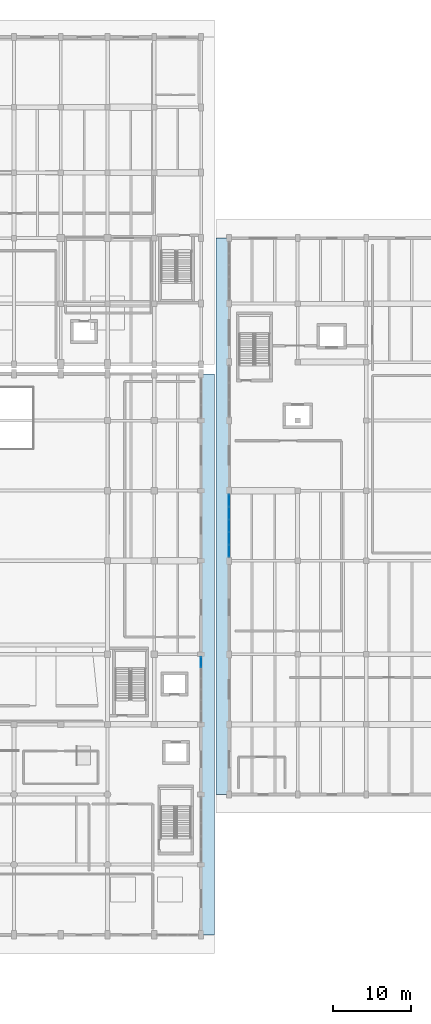
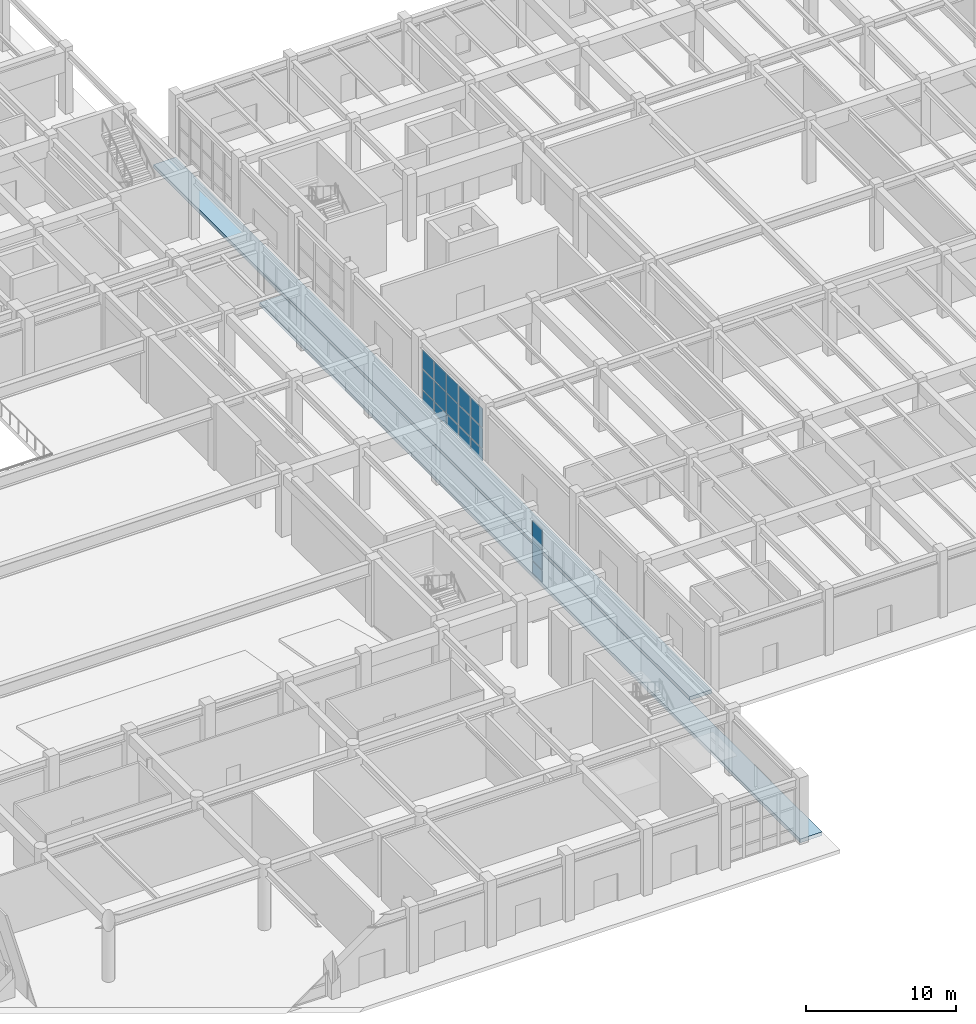
# One storey, part 63 of 91: 18 plates, 2 slabs, 2 elements without a shape of their own.
"""IFC4 building model written with IfcOpenShell, lengths in metres."""

import ifcopenshell
import ifcopenshell.guid

model = None  # the IFC model being written
_history = None  # IfcOwnerHistory: only IFC2X3 demands one
_inside = {}  # id of a spatial element -> (the spatial element, [elements in it])
_under = {}  # id of a project, library or spatial element -> (it, [spatial elements below it])
_declared = {}  # id of a project -> (the project, [libraries it declares])
_typed = {}  # id of a type object -> (the type object, [elements of that type])
_made_of = {}  # id of a material, layer set ... -> (it, [elements and type objects made of it])


def new_model(schema):
    """Start an empty IFC model of exactly this schema.

    Asked for "IFC4X3", IfcOpenShell would pick the latest addendum, in which some entities
    have other attributes; the version numbers below select the first issue.
    IFC2X3 requires an IfcOwnerHistory on every rooted entity: one is made here for all.
    """
    global model, _history
    if schema == "IFC4X3":
        model = ifcopenshell.file(schema_version=(4, 3, 0, 0))
    else:
        model = ifcopenshell.file(schema=schema)
    _inside.clear()
    _under.clear()
    _declared.clear()
    _typed.clear()
    _made_of.clear()
    _history = None
    if model.schema == "IFC2X3":
        org = make("IfcOrganization", Name="unknown")
        user = make(
            "IfcPersonAndOrganization",
            ThePerson=make("IfcPerson", FamilyName="unknown"),
            TheOrganization=org,
        )
        app = make(
            "IfcApplication",
            ApplicationDeveloper=org,
            Version="unknown",
            ApplicationFullName="unknown",
            ApplicationIdentifier="unknown",
        )
        _history = make(
            "IfcOwnerHistory",
            OwningUser=user,
            OwningApplication=app,
            ChangeAction="ADDED",
            CreationDate=0,
        )
    return model


def make(cls, **values):
    """One entity of the class cls with the attributes given. An attribute that is None is left unset."""
    return model.create_entity(
        cls, **{name: value for name, value in values.items() if value is not None}
    )


def rooted(cls, **values):
    """An entity with a GlobalId (a new one), such as an element, a storey or a relation."""
    return make(cls, GlobalId=ifcopenshell.guid.new(), OwnerHistory=_history, **values)


def si_unit(unit_type, name, prefix=None):
    """IfcSIUnit, for example si_unit("LENGTHUNIT", "METRE", prefix="MILLI")."""
    return make("IfcSIUnit", UnitType=unit_type, Prefix=prefix, Name=name)


def assignment(units):
    """IfcUnitAssignment: the units of a project."""
    return None if units is None else make("IfcUnitAssignment", Units=units)


def point(xyz):
    """IfcCartesianPoint."""
    return None if xyz is None else make("IfcCartesianPoint", Coordinates=xyz)


def direction(xyz):
    """IfcDirection."""
    return None if xyz is None else make("IfcDirection", DirectionRatios=xyz)


def frame(location, z_axis=None, x_axis=None):
    """IfcAxis2Placement3D, a coordinate frame: its origin and axes. An axis left out is left unset."""
    return make(
        "IfcAxis2Placement3D",
        Location=point(location),
        Axis=direction(z_axis),
        RefDirection=direction(x_axis),
    )


def frame_2d(location, x_axis=None):
    """IfcAxis2Placement2D, a coordinate frame in the plane: its origin and x axis."""
    return make(
        "IfcAxis2Placement2D", Location=point(location), RefDirection=direction(x_axis)
    )


def origin():
    """The frame at (0, 0, 0) with its axes left unset."""
    return frame((0.0, 0.0, 0.0))


def origin_2d():
    """The frame at (0, 0) in the plane with its x axis left unset."""
    return frame_2d((0.0, 0.0))


def place(relative_to, where):
    """IfcLocalPlacement: puts the frame where relative to a parent placement (None: the world)."""
    return make(
        "IfcLocalPlacement", PlacementRelTo=relative_to, RelativePlacement=where
    )


def context(
    kind, dimensions, precision=None, world=None, true_north=None, identifier=None
):
    """IfcGeometricRepresentationContext, for example the 3D "Model" context."""
    return make(
        "IfcGeometricRepresentationContext",
        ContextIdentifier=identifier,
        ContextType=kind,
        CoordinateSpaceDimension=dimensions,
        Precision=precision,
        WorldCoordinateSystem=world,
        TrueNorth=true_north,
    )


def subcontext(parent, identifier, kind, view, scale=None):
    """IfcGeometricRepresentationSubContext, for example "Body" below "Model"."""
    return make(
        "IfcGeometricRepresentationSubContext",
        ContextIdentifier=identifier,
        ContextType=kind,
        ParentContext=parent,
        TargetScale=scale,
        TargetView=view,
    )


def project(units=None, contexts=None):
    """IfcProject with its units and contexts."""
    return rooted(
        "IfcProject",
        Name="project",
        RepresentationContexts=contexts,
        UnitsInContext=assignment(units),
    )


def spatial(cls, under=None, at=None, **own):
    """A site, building, storey or space (cls), placed at a placement, below another one or the project."""
    s = rooted(cls, ObjectPlacement=at, **own)
    if under is not None:
        _under.setdefault(under.id(), (under, []))[1].append(s)
    return s


def polyline(points):
    """IfcPolyline through the points."""
    return make("IfcPolyline", Points=[point(p) for p in points])


def profile(cls, at=None, kind="AREA", **sizes):
    """A parametric profile (cls). Its sizes go by their IFC names, for example OverallWidth=200.0."""
    return make(cls, ProfileType=kind, Position=at, **sizes)


def rectangle(**sizes):
    """IfcRectangleProfileDef."""
    return profile("IfcRectangleProfileDef", **sizes)


def outline(outer, holes=None, kind="AREA"):
    """IfcArbitraryClosedProfileDef: a profile drawn as a closed curve; with holes, ...WithVoids."""
    if holes is None:
        return make("IfcArbitraryClosedProfileDef", ProfileType=kind, OuterCurve=outer)
    return make(
        "IfcArbitraryProfileDefWithVoids",
        ProfileType=kind,
        OuterCurve=outer,
        InnerCurves=holes,
    )


def extrude(swept, where, along, depth):
    """IfcExtrudedAreaSolid: the profile swept, set in the frame where, extruded along a direction by depth."""
    return make(
        "IfcExtrudedAreaSolid",
        SweptArea=swept,
        Position=where,
        ExtrudedDirection=direction(along),
        Depth=depth,
    )


def shape(context_of_items, identifier, shape_type, items):
    """IfcShapeRepresentation: the items that make up one representation, for example the "Body"."""
    return make(
        "IfcShapeRepresentation",
        ContextOfItems=context_of_items,
        RepresentationIdentifier=identifier,
        RepresentationType=shape_type,
        Items=items,
    )


def material(Name=None, Category=None):
    """IfcMaterial."""
    return make("IfcMaterial", Name=Name, Category=Category)


def layer(
    of_material, thickness, ventilated=None, Name=None, Category=None, Priority=None
):
    """IfcMaterialLayer: one layer of a wall or slab, of a material (None: an air gap)."""
    return make(
        "IfcMaterialLayer",
        Material=of_material,
        LayerThickness=thickness,
        IsVentilated=ventilated,
        Name=Name,
        Category=Category,
        Priority=Priority,
    )


def layer_set(layers, Name=None):
    """IfcMaterialLayerSet."""
    return make("IfcMaterialLayerSet", MaterialLayers=layers, LayerSetName=Name)


def made_of(thing, what):
    """Note that an element or type object is made of a material, layer set ...; save() writes the relation."""
    if what is not None:
        _made_of.setdefault(what.id(), (what, []))[1].append(thing)
    return thing


def type_object(cls, material=None, **own):
    """A type object (cls), such as IfcWallType, which elements share."""
    return made_of(rooted(cls, **own), material)


def element(
    cls,
    number,
    at=None,
    inside=None,
    cuts=None,
    type_object=None,
    material=None,
    context=None,
    identifier="Body",
    shape_type=None,
    held_by="IfcProductDefinitionShape",
    body=None,
    shapes=None,
    **own,
):
    """One element of the class cls, such as IfcWall. Its Tag is "e" and its number.

    at: its placement. inside: the storey or other place that contains it. cuts: it is an
    opening in that element (IfcRelVoidsElement). A single representation is given by context,
    identifier, shape_type and body (its items); several are given by shapes. held_by: the class
    of the entity that holds the representations. save() writes the other relations.
    """
    e = rooted(cls, Tag="e%d" % number, ObjectPlacement=at, **own)
    if body is not None:
        shapes = [shape(context, identifier, shape_type, body)]
    if shapes is not None:
        e.Representation = make(held_by, Representations=shapes)
    if inside is not None:
        _inside.setdefault(inside.id(), (inside, []))[1].append(e)
    if cuts is not None:
        rooted(
            "IfcRelVoidsElement", RelatingBuildingElement=cuts, RelatedOpeningElement=e
        )
    if type_object is not None:
        _typed.setdefault(type_object.id(), (type_object, []))[1].append(e)
    return made_of(e, material)


def aggregate(whole, parts):
    """IfcRelAggregates: a whole, such as a stair, and the parts it consists of."""
    return rooted("IfcRelAggregates", RelatingObject=whole, RelatedObjects=parts)


def save(model, path):
    """Write the relations noted so far, then the file.

    IfcRelAggregates (storeys below a building ...), IfcRelContainedInSpatialStructure (elements
    in a storey), IfcRelDefinesByType, IfcRelAssociatesMaterial and IfcRelDeclares: one each for
    every whole, place, type object, material and project.
    """
    for whole, parts in _under.values():
        aggregate(whole, parts)
    for where, things in _inside.values():
        rooted(
            "IfcRelContainedInSpatialStructure",
            RelatedElements=things,
            RelatingStructure=where,
        )
    for kind, things in _typed.values():
        rooted("IfcRelDefinesByType", RelatedObjects=things, RelatingType=kind)
    for what, things in _made_of.values():
        rooted("IfcRelAssociatesMaterial", RelatedObjects=things, RelatingMaterial=what)
    for by, libraries in _declared.values():
        rooted("IfcRelDeclares", RelatingContext=by, RelatedDefinitions=libraries)
    model.write(path)


model = new_model("IFC4")

# Units and contexts
model_context = context("Model", 3, precision=1e-05, world=origin(), true_north=direction((0.0, 1.0)))
body_context = subcontext(model_context, "Body", "Model", "MODEL_VIEW")
ifc_project = project(units=[si_unit("LENGTHUNIT", "METRE"), si_unit("AREAUNIT", "SQUARE_METRE"), si_unit("VOLUMEUNIT", "CUBIC_METRE"), si_unit("PLANEANGLEUNIT", "RADIAN"), si_unit("MASSUNIT", "GRAM", prefix="KILO")], contexts=[model_context])

# Site, building, storey
site_placement = place(None, origin())
site = spatial("IfcSite", under=ifc_project, at=site_placement, CompositionType="ELEMENT")
building_placement = place(site_placement, origin())
building = spatial("IfcBuilding", under=site, at=building_placement, Name="Vaelkrest Opera House", CompositionType="ELEMENT")
storey_placement = place(building_placement, origin())
storey = spatial("IfcBuildingStorey", under=building, at=storey_placement, Name="L00", CompositionType="ELEMENT", Elevation=0.0)

# Curtain wall, plates
ifc_material_1 = material(Name="Dark bronze anodized aluminium", Category="aluminium")
ifc_layer_1 = layer(ifc_material_1, 0.179931640625)
ifc_layer_set_1 = layer_set([ifc_layer_1], Name="Dark bronze anodized aluminium")
curtain_wall_type_1 = type_object("IfcCurtainWallType", Name="CW01", PredefinedType="NOTDEFINED", material=ifc_layer_set_1)
curtain_wall_1_placement = place(storey_placement, origin())
curtain_wall_1 = element("IfcCurtainWall", 1, at=curtain_wall_1_placement, inside=storey, type_object=curtain_wall_type_1, Name="Curtain wall CW-L00-018", PredefinedType="NOTDEFINED")
ifc_material_2 = material(Name="Double low-E insulated glazing", Category="glass")
ifc_layer_2 = layer(ifc_material_2, 0.02587890625)
ifc_layer_set_2 = layer_set([ifc_layer_2], Name="Double low-E insulated glazing")
plate_type_1 = type_object("IfcPlateType", Name="CWP01", PredefinedType="CURTAIN_PANEL", material=ifc_layer_set_2)
plate_1_placement = place(storey_placement, frame((30.0, -20.814697265625, 0.06494140625), z_axis=(0.0, 0.0, 1.0), x_axis=(0.0, -1.0, 0.0)))
plate_1 = element("IfcPlate", 2, at=plate_1_placement, type_object=plate_type_1, Name="CW01 panel 1.1", PredefinedType="CURTAIN_PANEL", context=body_context, shape_type="SweptSolid", body=[
    extrude(rectangle(XDim=1.30322265625, YDim=0.02587890625, at=origin_2d()), origin(), (0.0, 0.0, 1.0), 0.952392578125),
])
plate_2_placement = place(storey_placement, frame((30.0, -20.814697265625, 1.08251953125), z_axis=(0.0, 0.0, 1.0), x_axis=(0.0, -1.0, 0.0)))
plate_2 = element("IfcPlate", 3, at=plate_2_placement, type_object=plate_type_1, Name="CW01 panel 1.2", PredefinedType="CURTAIN_PANEL", context=body_context, shape_type="SweptSolid", body=[
    extrude(rectangle(XDim=1.30322265625, YDim=0.02587890625, at=origin_2d()), origin(), (0.0, 0.0, 1.0), 1.635009765625),
])
plate_3_placement = place(storey_placement, frame((30.0, -20.814697265625, 2.78271484375), z_axis=(0.0, 0.0, 1.0), x_axis=(0.0, -1.0, 0.0)))
plate_3 = element("IfcPlate", 4, at=plate_3_placement, type_object=plate_type_1, Name="CW01 panel 1.3", PredefinedType="CURTAIN_PANEL", context=body_context, shape_type="SweptSolid", body=[
    extrude(rectangle(XDim=1.30322265625, YDim=0.02587890625, at=origin_2d()), origin(), (0.0, 0.0, 1.0), 1.556396484375),
])
aggregate(curtain_wall_1, [plate_1, plate_2, plate_3])

ifc_layer_3 = layer(ifc_material_1, 0.199951171875)
ifc_layer_set_3 = layer_set([ifc_layer_3], Name="Dark bronze anodized aluminium")
curtain_wall_type_2 = type_object("IfcCurtainWallType", Name="CW03", PredefinedType="NOTDEFINED", material=ifc_layer_set_3)
curtain_wall_2_placement = place(storey_placement, origin())
curtain_wall_2 = element("IfcCurtainWall", 5, at=curtain_wall_2_placement, inside=storey, type_object=curtain_wall_type_2, Name="Curtain wall CW-L00-149", PredefinedType="NOTDEFINED")
ifc_layer_4 = layer(ifc_material_2, 0.033935546875)
ifc_layer_set_4 = layer_set([ifc_layer_4], Name="Double low-E insulated glazing")
plate_type_2 = type_object("IfcPlateType", Name="CWP03", PredefinedType="CURTAIN_PANEL", material=ifc_layer_set_4)
plate_4_placement = place(storey_placement, frame((33.60009765625, -6.52294921875, 0.074951171875), z_axis=(0.0, 0.0, 1.0), x_axis=(0.0, 1.0, 0.0)))
plate_4 = element("IfcPlate", 6, at=plate_4_placement, type_object=plate_type_2, Name="CW03 panel 1.1", PredefinedType="CURTAIN_PANEL", context=body_context, shape_type="SweptSolid", body=[
    extrude(rectangle(XDim=1.50830078125, YDim=0.033935546875, at=origin_2d()), origin(), (0.0, 0.0, 1.0), 0.9375),
])
plate_5_placement = place(storey_placement, frame((33.60009765625, -6.52294921875, 1.08740234375), z_axis=(0.0, 0.0, 1.0), x_axis=(0.0, 1.0, 0.0)))
plate_5 = element("IfcPlate", 7, at=plate_5_placement, type_object=plate_type_2, Name="CW03 panel 1.2", PredefinedType="CURTAIN_PANEL", context=body_context, shape_type="SweptSolid", body=[
    extrude(rectangle(XDim=1.50830078125, YDim=0.033935546875, at=origin_2d()), origin(), (0.0, 0.0, 1.0), 1.625),
])
plate_6_placement = place(storey_placement, frame((33.60009765625, -6.52294921875, 2.78759765625), z_axis=(0.0, 0.0, 1.0), x_axis=(0.0, 1.0, 0.0)))
plate_6 = element("IfcPlate", 8, at=plate_6_placement, type_object=plate_type_2, Name="CW03 panel 1.3", PredefinedType="CURTAIN_PANEL", context=body_context, shape_type="SweptSolid", body=[
    extrude(rectangle(XDim=1.50830078125, YDim=0.033935546875, at=origin_2d()), origin(), (0.0, 0.0, 1.0), 1.54150390625),
])
plate_7_placement = place(storey_placement, frame((33.60009765625, -4.9208984375, 0.074951171875), z_axis=(0.0, 0.0, 1.0), x_axis=(0.0, 1.0, 0.0)))
plate_7 = element("IfcPlate", 9, at=plate_7_placement, type_object=plate_type_2, Name="CW03 panel 2.1", PredefinedType="CURTAIN_PANEL", context=body_context, shape_type="SweptSolid", body=[
    extrude(rectangle(XDim=1.5458984375, YDim=0.033935546875, at=origin_2d()), origin(), (0.0, 0.0, 1.0), 0.9375),
])
plate_8_placement = place(storey_placement, frame((33.60009765625, -4.9208984375, 1.08740234375), z_axis=(0.0, 0.0, 1.0), x_axis=(0.0, 1.0, 0.0)))
plate_8 = element("IfcPlate", 10, at=plate_8_placement, type_object=plate_type_2, Name="CW03 panel 2.2", PredefinedType="CURTAIN_PANEL", context=body_context, shape_type="SweptSolid", body=[
    extrude(rectangle(XDim=1.5458984375, YDim=0.033935546875, at=origin_2d()), origin(), (0.0, 0.0, 1.0), 1.625),
])
plate_9_placement = place(storey_placement, frame((33.60009765625, -4.9208984375, 2.78759765625), z_axis=(0.0, 0.0, 1.0), x_axis=(0.0, 1.0, 0.0)))
plate_9 = element("IfcPlate", 11, at=plate_9_placement, type_object=plate_type_2, Name="CW03 panel 2.3", PredefinedType="CURTAIN_PANEL", context=body_context, shape_type="SweptSolid", body=[
    extrude(rectangle(XDim=1.5458984375, YDim=0.033935546875, at=origin_2d()), origin(), (0.0, 0.0, 1.0), 1.54150390625),
])
plate_10_placement = place(storey_placement, frame((33.60009765625, -3.300048828125, 0.074951171875), z_axis=(0.0, 0.0, 1.0), x_axis=(0.0, 1.0, 0.0)))
plate_10 = element("IfcPlate", 12, at=plate_10_placement, type_object=plate_type_2, Name="CW03 panel 3.1", PredefinedType="CURTAIN_PANEL", context=body_context, shape_type="SweptSolid", body=[
    extrude(rectangle(XDim=1.5458984375, YDim=0.033935546875, at=origin_2d()), origin(), (0.0, 0.0, 1.0), 0.9375),
])
plate_11_placement = place(storey_placement, frame((33.60009765625, -3.300048828125, 1.08740234375), z_axis=(0.0, 0.0, 1.0), x_axis=(0.0, 1.0, 0.0)))
plate_11 = element("IfcPlate", 13, at=plate_11_placement, type_object=plate_type_2, Name="CW03 panel 3.2", PredefinedType="CURTAIN_PANEL", context=body_context, shape_type="SweptSolid", body=[
    extrude(rectangle(XDim=1.5458984375, YDim=0.033935546875, at=origin_2d()), origin(), (0.0, 0.0, 1.0), 1.625),
])
plate_12_placement = place(storey_placement, frame((33.60009765625, -3.300048828125, 2.78759765625), z_axis=(0.0, 0.0, 1.0), x_axis=(0.0, 1.0, 0.0)))
plate_12 = element("IfcPlate", 14, at=plate_12_placement, type_object=plate_type_2, Name="CW03 panel 3.3", PredefinedType="CURTAIN_PANEL", context=body_context, shape_type="SweptSolid", body=[
    extrude(rectangle(XDim=1.5458984375, YDim=0.033935546875, at=origin_2d()), origin(), (0.0, 0.0, 1.0), 1.54150390625),
])
plate_13_placement = place(storey_placement, frame((33.60009765625, -1.67919921875, 0.074951171875), z_axis=(0.0, 0.0, 1.0), x_axis=(0.0, 1.0, 0.0)))
plate_13 = element("IfcPlate", 15, at=plate_13_placement, type_object=plate_type_2, Name="CW03 panel 4.1", PredefinedType="CURTAIN_PANEL", context=body_context, shape_type="SweptSolid", body=[
    extrude(rectangle(XDim=1.5458984375, YDim=0.033935546875, at=origin_2d()), origin(), (0.0, 0.0, 1.0), 0.9375),
])
plate_14_placement = place(storey_placement, frame((33.60009765625, -1.67919921875, 1.08740234375), z_axis=(0.0, 0.0, 1.0), x_axis=(0.0, 1.0, 0.0)))
plate_14 = element("IfcPlate", 16, at=plate_14_placement, type_object=plate_type_2, Name="CW03 panel 4.2", PredefinedType="CURTAIN_PANEL", context=body_context, shape_type="SweptSolid", body=[
    extrude(rectangle(XDim=1.5458984375, YDim=0.033935546875, at=origin_2d()), origin(), (0.0, 0.0, 1.0), 1.625),
])
plate_15_placement = place(storey_placement, frame((33.60009765625, -1.67919921875, 2.78759765625), z_axis=(0.0, 0.0, 1.0), x_axis=(0.0, 1.0, 0.0)))
plate_15 = element("IfcPlate", 17, at=plate_15_placement, type_object=plate_type_2, Name="CW03 panel 4.3", PredefinedType="CURTAIN_PANEL", context=body_context, shape_type="SweptSolid", body=[
    extrude(rectangle(XDim=1.5458984375, YDim=0.033935546875, at=origin_2d()), origin(), (0.0, 0.0, 1.0), 1.54150390625),
])
plate_16_placement = place(storey_placement, frame((33.60009765625, -0.0771484375, 0.074951171875), z_axis=(0.0, 0.0, 1.0), x_axis=(0.0, 1.0, 0.0)))
plate_16 = element("IfcPlate", 18, at=plate_16_placement, type_object=plate_type_2, Name="CW03 panel 5.1", PredefinedType="CURTAIN_PANEL", context=body_context, shape_type="SweptSolid", body=[
    extrude(rectangle(XDim=1.50830078125, YDim=0.033935546875, at=origin_2d()), origin(), (0.0, 0.0, 1.0), 0.9375),
])
plate_17_placement = place(storey_placement, frame((33.60009765625, -0.0771484375, 1.08740234375), z_axis=(0.0, 0.0, 1.0), x_axis=(0.0, 1.0, 0.0)))
plate_17 = element("IfcPlate", 19, at=plate_17_placement, type_object=plate_type_2, Name="CW03 panel 5.2", PredefinedType="CURTAIN_PANEL", context=body_context, shape_type="SweptSolid", body=[
    extrude(rectangle(XDim=1.50830078125, YDim=0.033935546875, at=origin_2d()), origin(), (0.0, 0.0, 1.0), 1.625),
])
plate_18_placement = place(storey_placement, frame((33.60009765625, -0.0771484375, 2.78759765625), z_axis=(0.0, 0.0, 1.0), x_axis=(0.0, 1.0, 0.0)))
plate_18 = element("IfcPlate", 20, at=plate_18_placement, type_object=plate_type_2, Name="CW03 panel 5.3", PredefinedType="CURTAIN_PANEL", context=body_context, shape_type="SweptSolid", body=[
    extrude(rectangle(XDim=1.50830078125, YDim=0.033935546875, at=origin_2d()), origin(), (0.0, 0.0, 1.0), 1.54150390625),
])
aggregate(curtain_wall_2, [plate_4, plate_5, plate_6, plate_7, plate_8, plate_9, plate_10, plate_11, plate_12, plate_13, plate_14, plate_15, plate_16, plate_17, plate_18])

# Slabs
ifc_material_3 = material(Name="Concrete C40/50", Category="concrete")
ifc_layer_5 = layer(ifc_material_3, 0.294921875)
ifc_layer_set_5 = layer_set([ifc_layer_5], Name="Concrete C40/50")
slab_type = type_object("IfcSlabType", Name="TS02", PredefinedType="FLOOR", material=ifc_layer_set_5)
slab_1_placement = place(storey_placement, frame((0.0, 0.0, -0.294921875)))
element("IfcSlab", 21, at=slab_1_placement, inside=storey, type_object=slab_type, Name="Exterior plaza walkway SLB-PLZ-V1-E", PredefinedType="FLOOR", context=body_context, shape_type="SweptSolid", body=[
    extrude(outline(polyline([(30.0, -55.800048828125), (31.699951171875, -55.800048828125), (31.699951171875, 16.199951171875), (30.0, 16.199951171875), (30.0, -55.800048828125)])), origin(), (0.0, 0.0, 1.0), 0.294921875),
])
slab_2_placement = place(storey_placement, frame((0.0, 0.0, -0.294921875)))
element("IfcSlab", 22, at=slab_2_placement, inside=storey, type_object=slab_type, Name="Exterior plaza walkway SLB-PLZ-V4-W", PredefinedType="FLOOR", context=body_context, shape_type="SweptSolid", body=[
    extrude(outline(polyline([(31.89990234375, -37.800048828125), (33.60009765625, -37.800048828125), (33.60009765625, 33.60009765625), (31.89990234375, 33.60009765625), (31.89990234375, -37.800048828125)])), origin(), (0.0, 0.0, 1.0), 0.294921875),
])

save(model, "model.ifc")
